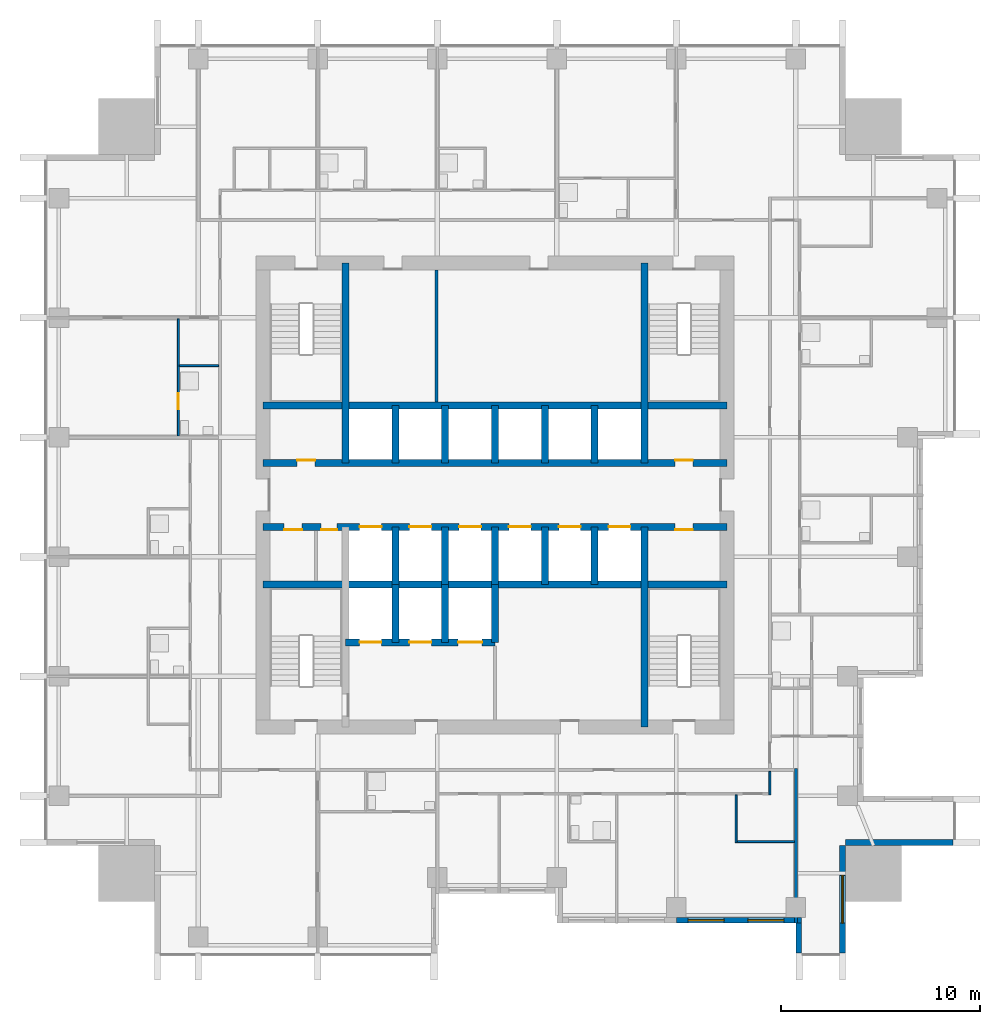
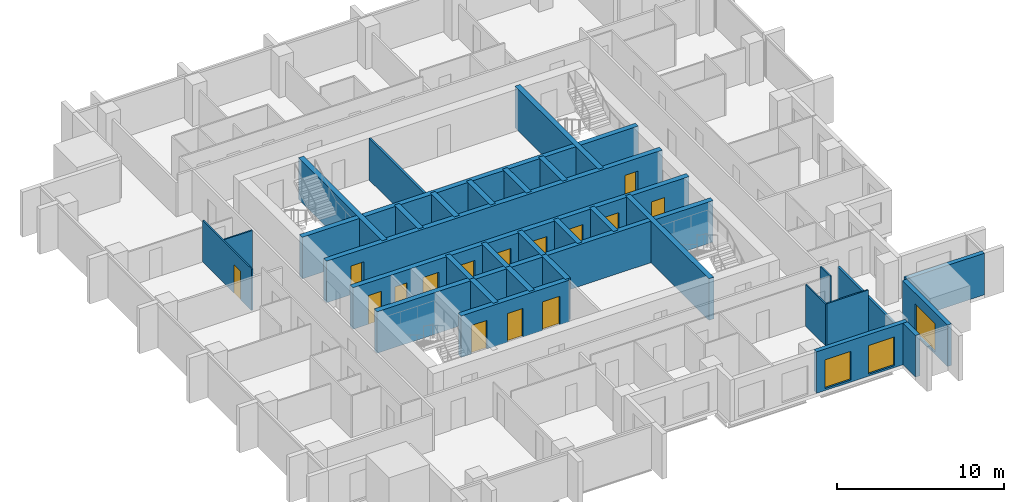
# One storey, part 5 of 10: 32 walls, 15 doors, 3 windows, 18 openings.
"""IFC4 building model written with IfcOpenShell, lengths in metres."""

from ifc_helpers import new_model, si_unit, direction, frame, frame_2d, origin, place, context, subcontext, project, spatial, rectangle, extrude, material, layer, layer_set, type_object, element, fill, save


model = new_model("IFC4")

# Units and contexts
model_context = context("Model", 3, precision=1e-05, world=origin(), true_north=direction((0.0, 1.0)))
body_context = subcontext(model_context, "Body", "Model", "MODEL_VIEW")
ifc_project = project(units=[si_unit("LENGTHUNIT", "METRE"), si_unit("AREAUNIT", "SQUARE_METRE"), si_unit("VOLUMEUNIT", "CUBIC_METRE"), si_unit("PLANEANGLEUNIT", "RADIAN"), si_unit("MASSUNIT", "GRAM", prefix="KILO")], contexts=[model_context])

# Site, building, storey
site_placement = place(None, origin())
site = spatial("IfcSite", under=ifc_project, at=site_placement, CompositionType="ELEMENT")
building_placement = place(site_placement, origin())
building = spatial("IfcBuilding", under=site, at=building_placement, Name="Amberfall Residences", CompositionType="ELEMENT")
storey_placement = place(building_placement, frame((0.0, 0.0, 137.199951171875)))
storey = spatial("IfcBuildingStorey", under=building, at=storey_placement, Name="L36", CompositionType="ELEMENT", Elevation=137.199951171875)

# Wall
ifc_material_1 = material(Name="Pale stone cladding on insulated backing", Category="masonry")
ifc_layer_1 = layer(ifc_material_1, 0.300048828125)
ifc_layer_set_1 = layer_set([ifc_layer_1], Name="Bronze clad wall 300")
wall_type_1 = type_object("IfcWallType", Name="Bronze clad wall 300", PredefinedType="SOLIDWALL", material=ifc_layer_set_1)
wall_1_placement = place(storey_placement, frame((89.75, 24.0, 0.0), z_axis=(0.0, 0.0, 1.0), x_axis=(0.0, -1.0, 0.0)))
element("IfcWall", 1, at=wall_1_placement, inside=storey, type_object=wall_type_1, Name="External wall L36 S", PredefinedType="SOLIDWALL", context=body_context, shape_type="SweptSolid", body=[
    extrude(rectangle(XDim=1.5, YDim=0.300048828125, at=frame_2d((0.75, 0.0))), origin(), (0.0, 0.0, 1.0), 3.050048828125),
])

# Wall, opening, window
wall_2_placement = place(storey_placement, frame((91.949951171875, 22.5, 0.0), z_axis=(0.0, 0.0, 1.0), x_axis=(0.0, 1.0, 0.0)))
wall_2 = element("IfcWall", 2, at=wall_2_placement, inside=storey, type_object=wall_type_1, Name="External wall L36 SE", PredefinedType="SOLIDWALL", context=body_context, shape_type="SweptSolid", body=[
    extrude(rectangle(XDim=5.39990234375, YDim=0.300048828125, at=frame_2d((2.699951171875, 0.0))), origin(), (0.0, 0.0, 1.0), 3.050048828125),
])
opening_1_placement = place(wall_2_placement, frame((1.5, 0.0, 0.14990234375)))
opening_1 = element("IfcOpeningElement", 3, at=opening_1_placement, cuts=wall_2, Name="Opening WN5", PredefinedType="OPENING", context=body_context, shape_type="SweptSolid", body=[
    extrude(rectangle(XDim=2.39990234375, YDim=2.10009765625, at=frame_2d((1.199951171875, 1.050048828125))), frame((0.0, 0.159912109375, 0.0), z_axis=(0.0, -1.0, 0.0), x_axis=(1.0, 0.0, 0.0)), (0.0, 0.0, 1.0), 0.320068359375),
])
ifc_material_2 = material(Name="Bronze aluminium framed glazing", Category="aluminium")
window_type_1 = type_object("IfcWindowType", Name="Glazed opening 2400 x 2100 bronze", PartitioningType="DOUBLE_PANEL_VERTICAL", PredefinedType="WINDOW", material=ifc_material_2)
window_1_placement = place(opening_1_placement, origin())
window_1 = element("IfcWindow", 4, at=window_1_placement, inside=storey, type_object=window_type_1, Name="Window L36 SE", OverallHeight=2.10009765625, OverallWidth=2.39990234375, PartitioningType="DOUBLE_PANEL_VERTICAL", PredefinedType="WINDOW", context=body_context, shape_type="SweptSolid", body=[
    extrude(rectangle(XDim=2.39990234375, YDim=2.10009765625, at=frame_2d((1.199951171875, 1.050048828125))), frame((0.0, 0.030029296875, 0.0), z_axis=(0.0, -1.0, 0.0), x_axis=(1.0, 0.0, 0.0)), (0.0, 0.0, 1.0), 0.06005859375),
])
fill(opening_1, window_1)

# Wall
wall_3_placement = place(storey_placement, frame((92.10009765625, 28.050048828125, 0.0), z_axis=(0.0, 0.0, 1.0), x_axis=(1.0, 0.0, 0.0)))
element("IfcWall", 5, at=wall_3_placement, inside=storey, type_object=wall_type_1, Name="External wall L36 SE", PredefinedType="SOLIDWALL", context=body_context, shape_type="SweptSolid", body=[
    extrude(rectangle(XDim=5.39990234375, YDim=0.300048828125, at=frame_2d((2.699951171875, 0.0))), origin(), (0.0, 0.0, 1.0), 3.050048828125),
])

# Wall, openings, windows
wall_4_placement = place(storey_placement, frame((83.60009765625, 24.14990234375, 0.0), z_axis=(0.0, 0.0, 1.0), x_axis=(1.0, 0.0, 0.0)))
wall_4 = element("IfcWall", 6, at=wall_4_placement, inside=storey, type_object=wall_type_1, Name="Stone wall L36 S", PredefinedType="SOLIDWALL", context=body_context, shape_type="SweptSolid", body=[
    extrude(rectangle(XDim=6.2998046875, YDim=0.300048828125, at=frame_2d((3.14990234375, 0.0))), origin(), (0.0, 0.0, 1.0), 3.050048828125),
])
opening_2_placement = place(wall_4_placement, frame((0.60009765625, 0.0, 0.14990234375)))
opening_2 = element("IfcOpeningElement", 7, at=opening_2_placement, cuts=wall_4, Name="Opening WN6", PredefinedType="OPENING", context=body_context, shape_type="SweptSolid", body=[
    extrude(rectangle(XDim=1.800048828125, YDim=2.10009765625, at=frame_2d((0.89990234375, 1.050048828125))), frame((0.0, 0.159912109375, 0.0), z_axis=(0.0, -1.0, 0.0), x_axis=(1.0, 0.0, 0.0)), (0.0, 0.0, 1.0), 0.320068359375),
])
opening_3_placement = place(wall_4_placement, frame((3.60009765625, 0.0, 0.14990234375)))
opening_3 = element("IfcOpeningElement", 8, at=opening_3_placement, cuts=wall_4, Name="Opening WN6", PredefinedType="OPENING", context=body_context, shape_type="SweptSolid", body=[
    extrude(rectangle(XDim=1.800048828125, YDim=2.10009765625, at=frame_2d((0.89990234375, 1.050048828125))), frame((0.0, 0.159912109375, 0.0), z_axis=(0.0, -1.0, 0.0), x_axis=(1.0, 0.0, 0.0)), (0.0, 0.0, 1.0), 0.320068359375),
])
window_type_2 = type_object("IfcWindowType", Name="Glazed opening 1800 x 2100 bronze", PartitioningType="DOUBLE_PANEL_VERTICAL", PredefinedType="WINDOW", material=ifc_material_2)
window_2_placement = place(opening_2_placement, origin())
window_2 = element("IfcWindow", 9, at=window_2_placement, inside=storey, type_object=window_type_2, Name="Window L36 S", OverallHeight=2.10009765625, OverallWidth=1.800048828125, PartitioningType="DOUBLE_PANEL_VERTICAL", PredefinedType="WINDOW", context=body_context, shape_type="SweptSolid", body=[
    extrude(rectangle(XDim=1.800048828125, YDim=2.10009765625, at=frame_2d((0.89990234375, 1.050048828125))), frame((0.0, 0.030029296875, 0.0), z_axis=(0.0, -1.0, 0.0), x_axis=(1.0, 0.0, 0.0)), (0.0, 0.0, 1.0), 0.06005859375),
])
fill(opening_2, window_2)
window_3_placement = place(opening_3_placement, origin())
window_3 = element("IfcWindow", 10, at=window_3_placement, inside=storey, type_object=window_type_2, Name="Window L36 S", OverallHeight=2.10009765625, OverallWidth=1.800048828125, PartitioningType="DOUBLE_PANEL_VERTICAL", PredefinedType="WINDOW", context=body_context, shape_type="SweptSolid", body=[
    extrude(rectangle(XDim=1.800048828125, YDim=2.10009765625, at=frame_2d((0.89990234375, 1.050048828125))), frame((0.0, 0.030029296875, 0.0), z_axis=(0.0, -1.0, 0.0), x_axis=(1.0, 0.0, 0.0)), (0.0, 0.0, 1.0), 0.06005859375),
])
fill(opening_3, window_3)

# Wall
ifc_material_3 = material(Name="Concrete C60", Category="concrete")
ifc_layer_2 = layer(ifc_material_3, 0.35009765625)
ifc_layer_set_2 = layer_set([ifc_layer_2], Name="Core wall 350 C60")
wall_type_2 = type_object("IfcWallType", Name="Core wall 350 C60", PredefinedType="SHEAR", material=ifc_layer_set_2)
wall_5_placement = place(storey_placement, frame((62.85009765625, 41.0, 0.0), z_axis=(0.0, 0.0, 1.0), x_axis=(1.0, 0.0, 0.0)))
element("IfcWall", 11, at=wall_5_placement, inside=storey, type_object=wall_type_2, Name="Core wall RW6 L36 H75", PredefinedType="SHEAR", context=body_context, shape_type="SweptSolid", body=[
    extrude(rectangle(XDim=23.2998046875, YDim=0.35009765625, at=frame_2d((11.64990234375, 0.0))), origin(), (0.0, 0.0, 1.0), 3.050048828125),
])

# Wall, openings, doors
wall_6_placement = place(storey_placement, frame((62.85009765625, 43.89990234375, 0.0), z_axis=(0.0, 0.0, 1.0), x_axis=(1.0, 0.0, 0.0)))
wall_6 = element("IfcWall", 12, at=wall_6_placement, inside=storey, type_object=wall_type_2, Name="Core wall RW6 L36 H104", PredefinedType="SHEAR", context=body_context, shape_type="SweptSolid", body=[
    extrude(rectangle(XDim=23.2998046875, YDim=0.35009765625, at=frame_2d((11.64990234375, 0.0))), origin(), (0.0, 0.0, 1.0), 3.050048828125),
])
opening_4_placement = place(wall_6_placement, frame((1.06005859375, 0.0, 0.0)))
opening_4 = element("IfcOpeningElement", 13, at=opening_4_placement, cuts=wall_6, Name="Opening RD1", PredefinedType="OPENING", context=body_context, shape_type="SweptSolid", body=[
    extrude(rectangle(XDim=0.89990234375, YDim=2.10009765625, at=frame_2d((0.449951171875, 1.050048828125))), frame((0.0, 0.18505859375, 0.0), z_axis=(0.0, -1.0, 0.0), x_axis=(1.0, 0.0, 0.0)), (0.0, 0.0, 1.0), 0.3701171875),
])
opening_5_placement = place(wall_6_placement, frame((2.922607421875, 0.0, 0.0)))
opening_5 = element("IfcOpeningElement", 14, at=opening_5_placement, cuts=wall_6, Name="Opening RD2", PredefinedType="OPENING", context=body_context, shape_type="SweptSolid", body=[
    extrude(rectangle(XDim=0.800048828125, YDim=2.10009765625, at=frame_2d((0.39990234375, 1.050048828125))), frame((0.0, 0.18505859375, 0.0), z_axis=(0.0, -1.0, 0.0), x_axis=(1.0, 0.0, 0.0)), (0.0, 0.0, 1.0), 0.3701171875),
])
opening_6_placement = place(wall_6_placement, frame((20.6875, 0.0, 0.0)))
opening_6 = element("IfcOpeningElement", 15, at=opening_6_placement, cuts=wall_6, Name="Opening RD1", PredefinedType="OPENING", context=body_context, shape_type="SweptSolid", body=[
    extrude(rectangle(XDim=0.89990234375, YDim=2.10009765625, at=frame_2d((0.449951171875, 1.050048828125))), frame((0.0, 0.18505859375, 0.0), z_axis=(0.0, -1.0, 0.0), x_axis=(1.0, 0.0, 0.0)), (0.0, 0.0, 1.0), 0.3701171875),
])
opening_7_placement = place(wall_6_placement, frame((4.85009765625, 0.0, 0.0)))
opening_7 = element("IfcOpeningElement", 16, at=opening_7_placement, cuts=wall_6, Name="Opening LD1", PredefinedType="OPENING", context=body_context, shape_type="SweptSolid", body=[
    extrude(rectangle(XDim=1.10009765625, YDim=2.10009765625, at=frame_2d((0.550048828125, 1.050048828125))), frame((0.0, 0.18505859375, 0.0), z_axis=(0.0, -1.0, 0.0), x_axis=(1.0, 0.0, 0.0)), (0.0, 0.0, 1.0), 0.3701171875),
])
opening_8_placement = place(wall_6_placement, frame((7.35009765625, 0.0, 0.0)))
opening_8 = element("IfcOpeningElement", 17, at=opening_8_placement, cuts=wall_6, Name="Opening LD1", PredefinedType="OPENING", context=body_context, shape_type="SweptSolid", body=[
    extrude(rectangle(XDim=1.10009765625, YDim=2.10009765625, at=frame_2d((0.550048828125, 1.050048828125))), frame((0.0, 0.18505859375, 0.0), z_axis=(0.0, -1.0, 0.0), x_axis=(1.0, 0.0, 0.0)), (0.0, 0.0, 1.0), 0.3701171875),
])
opening_9_placement = place(wall_6_placement, frame((9.85009765625, 0.0, 0.0)))
opening_9 = element("IfcOpeningElement", 18, at=opening_9_placement, cuts=wall_6, Name="Opening LD1", PredefinedType="OPENING", context=body_context, shape_type="SweptSolid", body=[
    extrude(rectangle(XDim=1.10009765625, YDim=2.10009765625, at=frame_2d((0.550048828125, 1.050048828125))), frame((0.0, 0.18505859375, 0.0), z_axis=(0.0, -1.0, 0.0), x_axis=(1.0, 0.0, 0.0)), (0.0, 0.0, 1.0), 0.3701171875),
])
opening_10_placement = place(wall_6_placement, frame((12.35009765625, 0.0, 0.0)))
opening_10 = element("IfcOpeningElement", 19, at=opening_10_placement, cuts=wall_6, Name="Opening LD1", PredefinedType="OPENING", context=body_context, shape_type="SweptSolid", body=[
    extrude(rectangle(XDim=1.10009765625, YDim=2.10009765625, at=frame_2d((0.550048828125, 1.050048828125))), frame((0.0, 0.18505859375, 0.0), z_axis=(0.0, -1.0, 0.0), x_axis=(1.0, 0.0, 0.0)), (0.0, 0.0, 1.0), 0.3701171875),
])
opening_11_placement = place(wall_6_placement, frame((14.85009765625, 0.0, 0.0)))
opening_11 = element("IfcOpeningElement", 20, at=opening_11_placement, cuts=wall_6, Name="Opening LD1", PredefinedType="OPENING", context=body_context, shape_type="SweptSolid", body=[
    extrude(rectangle(XDim=1.10009765625, YDim=2.10009765625, at=frame_2d((0.550048828125, 1.050048828125))), frame((0.0, 0.18505859375, 0.0), z_axis=(0.0, -1.0, 0.0), x_axis=(1.0, 0.0, 0.0)), (0.0, 0.0, 1.0), 0.3701171875),
])
opening_12_placement = place(wall_6_placement, frame((17.35009765625, 0.0, 0.0)))
opening_12 = element("IfcOpeningElement", 21, at=opening_12_placement, cuts=wall_6, Name="Opening LD1", PredefinedType="OPENING", context=body_context, shape_type="SweptSolid", body=[
    extrude(rectangle(XDim=1.10009765625, YDim=2.10009765625, at=frame_2d((0.550048828125, 1.050048828125))), frame((0.0, 0.18505859375, 0.0), z_axis=(0.0, -1.0, 0.0), x_axis=(1.0, 0.0, 0.0)), (0.0, 0.0, 1.0), 0.3701171875),
])
ifc_material_4 = material(Name="Steel fire door set", Category="steel")
door_type_1 = type_object("IfcDoorType", Name="Lift landing door 1100 x 2100", OperationType="DOUBLE_DOOR_SLIDING", PredefinedType="DOOR", material=ifc_material_4)
door_1_placement = place(opening_7_placement, origin())
door_1 = element("IfcDoor", 22, at=door_1_placement, inside=storey, type_object=door_type_1, Name="Landing door LP1 L36", OperationType="DOUBLE_DOOR_SLIDING", OverallHeight=2.10009765625, OverallWidth=1.10009765625, PredefinedType="DOOR", context=body_context, shape_type="SweptSolid", body=[
    extrude(rectangle(XDim=1.10009765625, YDim=2.10009765625, at=frame_2d((0.550048828125, 1.050048828125))), frame((0.0, 0.02490234375, 0.0), z_axis=(0.0, -1.0, 0.0), x_axis=(1.0, 0.0, 0.0)), (0.0, 0.0, 1.0), 0.050048828125),
])
fill(opening_7, door_1)
door_2_placement = place(opening_8_placement, origin())
door_2 = element("IfcDoor", 23, at=door_2_placement, inside=storey, type_object=door_type_1, Name="Landing door LP2 L36", OperationType="DOUBLE_DOOR_SLIDING", OverallHeight=2.10009765625, OverallWidth=1.10009765625, PredefinedType="DOOR", context=body_context, shape_type="SweptSolid", body=[
    extrude(rectangle(XDim=1.10009765625, YDim=2.10009765625, at=frame_2d((0.550048828125, 1.050048828125))), frame((0.0, 0.02490234375, 0.0), z_axis=(0.0, -1.0, 0.0), x_axis=(1.0, 0.0, 0.0)), (0.0, 0.0, 1.0), 0.050048828125),
])
fill(opening_8, door_2)
door_3_placement = place(opening_9_placement, origin())
door_3 = element("IfcDoor", 24, at=door_3_placement, inside=storey, type_object=door_type_1, Name="Landing door LP3 L36", OperationType="DOUBLE_DOOR_SLIDING", OverallHeight=2.10009765625, OverallWidth=1.10009765625, PredefinedType="DOOR", context=body_context, shape_type="SweptSolid", body=[
    extrude(rectangle(XDim=1.10009765625, YDim=2.10009765625, at=frame_2d((0.550048828125, 1.050048828125))), frame((0.0, 0.02490234375, 0.0), z_axis=(0.0, -1.0, 0.0), x_axis=(1.0, 0.0, 0.0)), (0.0, 0.0, 1.0), 0.050048828125),
])
fill(opening_9, door_3)
door_4_placement = place(opening_10_placement, origin())
door_4 = element("IfcDoor", 25, at=door_4_placement, inside=storey, type_object=door_type_1, Name="Landing door LP4 L36", OperationType="DOUBLE_DOOR_SLIDING", OverallHeight=2.10009765625, OverallWidth=1.10009765625, PredefinedType="DOOR", context=body_context, shape_type="SweptSolid", body=[
    extrude(rectangle(XDim=1.10009765625, YDim=2.10009765625, at=frame_2d((0.550048828125, 1.050048828125))), frame((0.0, 0.02490234375, 0.0), z_axis=(0.0, -1.0, 0.0), x_axis=(1.0, 0.0, 0.0)), (0.0, 0.0, 1.0), 0.050048828125),
])
fill(opening_10, door_4)
door_5_placement = place(opening_11_placement, origin())
door_5 = element("IfcDoor", 26, at=door_5_placement, inside=storey, type_object=door_type_1, Name="Landing door LP5 L36", OperationType="DOUBLE_DOOR_SLIDING", OverallHeight=2.10009765625, OverallWidth=1.10009765625, PredefinedType="DOOR", context=body_context, shape_type="SweptSolid", body=[
    extrude(rectangle(XDim=1.10009765625, YDim=2.10009765625, at=frame_2d((0.550048828125, 1.050048828125))), frame((0.0, 0.02490234375, 0.0), z_axis=(0.0, -1.0, 0.0), x_axis=(1.0, 0.0, 0.0)), (0.0, 0.0, 1.0), 0.050048828125),
])
fill(opening_11, door_5)
door_6_placement = place(opening_12_placement, origin())
door_6 = element("IfcDoor", 27, at=door_6_placement, inside=storey, type_object=door_type_1, Name="Landing door LP6 L36", OperationType="DOUBLE_DOOR_SLIDING", OverallHeight=2.10009765625, OverallWidth=1.10009765625, PredefinedType="DOOR", context=body_context, shape_type="SweptSolid", body=[
    extrude(rectangle(XDim=1.10009765625, YDim=2.10009765625, at=frame_2d((0.550048828125, 1.050048828125))), frame((0.0, 0.02490234375, 0.0), z_axis=(0.0, -1.0, 0.0), x_axis=(1.0, 0.0, 0.0)), (0.0, 0.0, 1.0), 0.050048828125),
])
fill(opening_12, door_6)
door_type_2 = type_object("IfcDoorType", Name="Service room door 800 x 2100", OperationType="SINGLE_SWING_LEFT", PredefinedType="DOOR", material=ifc_material_4)
door_7_placement = place(opening_5_placement, origin())
door_7 = element("IfcDoor", 28, at=door_7_placement, inside=storey, type_object=door_type_2, Name="RD2 L36", OperationType="SINGLE_SWING_RIGHT", OverallHeight=2.10009765625, OverallWidth=0.800048828125, PredefinedType="DOOR", context=body_context, shape_type="SweptSolid", body=[
    extrude(rectangle(XDim=0.800048828125, YDim=2.10009765625, at=frame_2d((0.39990234375, 1.050048828125))), frame((0.0, -0.1123046875, 0.0), z_axis=(0.0, -1.0, 0.0), x_axis=(1.0, 0.0, 0.0)), (0.0, 0.0, 1.0), 0.050048828125),
])
fill(opening_5, door_7)
door_type_3 = type_object("IfcDoorType", Name="Service room door 900 x 2100", OperationType="SINGLE_SWING_LEFT", PredefinedType="DOOR", material=ifc_material_4)
door_8_placement = place(opening_4_placement, origin())
door_8 = element("IfcDoor", 29, at=door_8_placement, inside=storey, type_object=door_type_3, Name="RD1 L36", OperationType="SINGLE_SWING_LEFT", OverallHeight=2.10009765625, OverallWidth=0.89990234375, PredefinedType="DOOR", context=body_context, shape_type="SweptSolid", body=[
    extrude(rectangle(XDim=0.89990234375, YDim=2.10009765625, at=frame_2d((0.449951171875, 1.050048828125))), frame((0.0, -0.1123046875, 0.0), z_axis=(0.0, -1.0, 0.0), x_axis=(1.0, 0.0, 0.0)), (0.0, 0.0, 1.0), 0.050048828125),
])
fill(opening_4, door_8)
door_9_placement = place(opening_6_placement, origin())
door_9 = element("IfcDoor", 30, at=door_9_placement, inside=storey, type_object=door_type_3, Name="RD1 L36", OperationType="SINGLE_SWING_LEFT", OverallHeight=2.10009765625, OverallWidth=0.89990234375, PredefinedType="DOOR", context=body_context, shape_type="SweptSolid", body=[
    extrude(rectangle(XDim=0.89990234375, YDim=2.10009765625, at=frame_2d((0.449951171875, 1.050048828125))), frame((0.0, -0.1123046875, 0.0), z_axis=(0.0, -1.0, 0.0), x_axis=(1.0, 0.0, 0.0)), (0.0, 0.0, 1.0), 0.050048828125),
])
fill(opening_6, door_9)

wall_7_placement = place(storey_placement, frame((62.85009765625, 47.10009765625, 0.0), z_axis=(0.0, 0.0, 1.0), x_axis=(1.0, 0.0, 0.0)))
wall_7 = element("IfcWall", 31, at=wall_7_placement, inside=storey, type_object=wall_type_2, Name="Core wall RW6 L36 H136", PredefinedType="SHEAR", context=body_context, shape_type="SweptSolid", body=[
    extrude(rectangle(XDim=23.2998046875, YDim=0.35009765625, at=frame_2d((11.64990234375, 0.0))), origin(), (0.0, 0.0, 1.0), 3.050048828125),
])
opening_13_placement = place(wall_7_placement, frame((1.71240234375, 0.0, 0.0)))
opening_13 = element("IfcOpeningElement", 32, at=opening_13_placement, cuts=wall_7, Name="Opening RD1", PredefinedType="OPENING", context=body_context, shape_type="SweptSolid", body=[
    extrude(rectangle(XDim=0.89990234375, YDim=2.10009765625, at=frame_2d((0.449951171875, 1.050048828125))), frame((0.0, 0.18505859375, 0.0), z_axis=(0.0, -1.0, 0.0), x_axis=(1.0, 0.0, 0.0)), (0.0, 0.0, 1.0), 0.3701171875),
])
opening_14_placement = place(wall_7_placement, frame((20.6875, 0.0, 0.0)))
opening_14 = element("IfcOpeningElement", 33, at=opening_14_placement, cuts=wall_7, Name="Opening RD1", PredefinedType="OPENING", context=body_context, shape_type="SweptSolid", body=[
    extrude(rectangle(XDim=0.89990234375, YDim=2.10009765625, at=frame_2d((0.449951171875, 1.050048828125))), frame((0.0, 0.18505859375, 0.0), z_axis=(0.0, -1.0, 0.0), x_axis=(1.0, 0.0, 0.0)), (0.0, 0.0, 1.0), 0.3701171875),
])
door_10_placement = place(opening_13_placement, origin())
door_10 = element("IfcDoor", 34, at=door_10_placement, inside=storey, type_object=door_type_3, Name="RD1 L36", OperationType="SINGLE_SWING_LEFT", OverallHeight=2.10009765625, OverallWidth=0.89990234375, PredefinedType="DOOR", context=body_context, shape_type="SweptSolid", body=[
    extrude(rectangle(XDim=0.89990234375, YDim=2.10009765625, at=frame_2d((0.449951171875, 1.050048828125))), frame((0.0, 0.16259765625, 0.0), z_axis=(0.0, -1.0, 0.0), x_axis=(1.0, 0.0, 0.0)), (0.0, 0.0, 1.0), 0.050048828125),
])
fill(opening_13, door_10)
door_11_placement = place(opening_14_placement, origin())
door_11 = element("IfcDoor", 35, at=door_11_placement, inside=storey, type_object=door_type_3, Name="RD1 L36", OperationType="SINGLE_SWING_LEFT", OverallHeight=2.10009765625, OverallWidth=0.89990234375, PredefinedType="DOOR", context=body_context, shape_type="SweptSolid", body=[
    extrude(rectangle(XDim=0.89990234375, YDim=2.10009765625, at=frame_2d((0.449951171875, 1.050048828125))), frame((0.0, 0.16259765625, 0.0), z_axis=(0.0, -1.0, 0.0), x_axis=(1.0, 0.0, 0.0)), (0.0, 0.0, 1.0), 0.050048828125),
])
fill(opening_14, door_11)

# Walls
wall_8_placement = place(storey_placement, frame((62.85009765625, 50.0, 0.0), z_axis=(0.0, 0.0, 1.0), x_axis=(1.0, 0.0, 0.0)))
element("IfcWall", 36, at=wall_8_placement, inside=storey, type_object=wall_type_2, Name="Core wall RW6 L36 H165", PredefinedType="SHEAR", context=body_context, shape_type="SweptSolid", body=[
    extrude(rectangle(XDim=23.2998046875, YDim=0.35009765625, at=frame_2d((11.64990234375, 0.0))), origin(), (0.0, 0.0, 1.0), 3.050048828125),
])
for number, where, z_axis, x_axis, name in (
    (37, (67.0, 47.10009765625, 0.0), (0.0, 0.0, 1.0), (0.0, 1.0, 0.0), "Core wall RW6 L36 V45N"),
    (38, (82.0, 33.85009765625, 0.0), (0.0, 0.0, 1.0), (0.0, 1.0, 0.0), "Core wall RW6 L36 V195S"),
    (39, (82.0, 47.10009765625, 0.0), (0.0, 0.0, 1.0), (0.0, 1.0, 0.0), "Core wall RW6 L36 V195N"),
):
    element("IfcWall", number, at=place(storey_placement, frame(where, z_axis=z_axis, x_axis=x_axis)), inside=storey, type_object=wall_type_2, Name=name, PredefinedType="SHEAR", context=body_context, shape_type="SweptSolid", body=[
        extrude(rectangle(XDim=10.0498046875, YDim=0.35009765625, at=frame_2d((5.02490234375, 0.0))), origin(), (0.0, 0.0, 1.0), 3.050048828125),
    ])
for number, where, z_axis, x_axis, name in (
    (40, (69.5, 41.0, 0.0), (0.0, 0.0, 1.0), (0.0, 1.0, 0.0), "Core wall RW6 L36 LPD1"),
    (41, (69.5, 47.10009765625, 0.0), (0.0, 0.0, 1.0), (0.0, 1.0, 0.0), "Core wall RW6 L36 HPD1"),
    (42, (72.0, 41.0, 0.0), (0.0, 0.0, 1.0), (0.0, 1.0, 0.0), "Core wall RW6 L36 LPD2"),
    (43, (72.0, 47.10009765625, 0.0), (0.0, 0.0, 1.0), (0.0, 1.0, 0.0), "Core wall RW6 L36 HPD2"),
    (44, (74.5, 41.0, 0.0), (0.0, 0.0, 1.0), (0.0, 1.0, 0.0), "Core wall RW6 L36 LPD3"),
    (45, (74.5, 47.10009765625, 0.0), (0.0, 0.0, 1.0), (0.0, 1.0, 0.0), "Core wall RW6 L36 HPD3"),
    (46, (77.0, 41.0, 0.0), (0.0, 0.0, 1.0), (0.0, 1.0, 0.0), "Core wall RW6 L36 LPD4"),
    (47, (77.0, 47.10009765625, 0.0), (0.0, 0.0, 1.0), (0.0, 1.0, 0.0), "Core wall RW6 L36 HPD4"),
    (48, (79.5, 41.0, 0.0), (0.0, 0.0, 1.0), (0.0, 1.0, 0.0), "Core wall RW6 L36 LPD5"),
    (49, (79.5, 47.10009765625, 0.0), (0.0, 0.0, 1.0), (0.0, 1.0, 0.0), "Core wall RW6 L36 HPD5"),
):
    element("IfcWall", number, at=place(storey_placement, frame(where, z_axis=z_axis, x_axis=x_axis)), inside=storey, type_object=wall_type_2, Name=name, PredefinedType="SHEAR", context=body_context, shape_type="SweptSolid", body=[
        extrude(rectangle(XDim=2.89990234375, YDim=0.35009765625, at=frame_2d((1.449951171875, 0.0))), origin(), (0.0, 0.0, 1.0), 3.050048828125),
    ])

# Wall, openings, doors
wall_9_placement = place(storey_placement, frame((67.0, 38.10009765625, 0.0), z_axis=(0.0, 0.0, 1.0), x_axis=(1.0, 0.0, 0.0)))
wall_9 = element("IfcWall", 50, at=wall_9_placement, inside=storey, type_object=wall_type_2, Name="Core wall RW6 L36 FFF", PredefinedType="SHEAR", context=body_context, shape_type="SweptSolid", body=[
    extrude(rectangle(XDim=7.5, YDim=0.35009765625, at=frame_2d((3.75, 0.0))), origin(), (0.0, 0.0, 1.0), 3.050048828125),
])
opening_15_placement = place(wall_9_placement, frame((0.699951171875, 0.0, 0.0)))
opening_15 = element("IfcOpeningElement", 51, at=opening_15_placement, cuts=wall_9, Name="Opening LD2", PredefinedType="OPENING", context=body_context, shape_type="SweptSolid", body=[
    extrude(rectangle(XDim=1.10009765625, YDim=2.10009765625, at=frame_2d((0.550048828125, 1.050048828125))), frame((0.0, 0.18505859375, 0.0), z_axis=(0.0, -1.0, 0.0), x_axis=(1.0, 0.0, 0.0)), (0.0, 0.0, 1.0), 0.3701171875),
])
opening_16_placement = place(wall_9_placement, frame((3.199951171875, 0.0, 0.0)))
opening_16 = element("IfcOpeningElement", 52, at=opening_16_placement, cuts=wall_9, Name="Opening LD2", PredefinedType="OPENING", context=body_context, shape_type="SweptSolid", body=[
    extrude(rectangle(XDim=1.10009765625, YDim=2.10009765625, at=frame_2d((0.550048828125, 1.050048828125))), frame((0.0, 0.18505859375, 0.0), z_axis=(0.0, -1.0, 0.0), x_axis=(1.0, 0.0, 0.0)), (0.0, 0.0, 1.0), 0.3701171875),
])
opening_17_placement = place(wall_9_placement, frame((5.64990234375, 0.0, 0.0)))
opening_17 = element("IfcOpeningElement", 53, at=opening_17_placement, cuts=wall_9, Name="Opening LD3", PredefinedType="OPENING", context=body_context, shape_type="SweptSolid", body=[
    extrude(rectangle(XDim=1.199951171875, YDim=2.10009765625, at=frame_2d((0.60009765625, 1.050048828125))), frame((0.0, 0.18505859375, 0.0), z_axis=(0.0, -1.0, 0.0), x_axis=(1.0, 0.0, 0.0)), (0.0, 0.0, 1.0), 0.3701171875),
])
door_type_4 = type_object("IfcDoorType", Name="Firefighting lift landing door 1100 x 2100", OperationType="DOUBLE_DOOR_SLIDING", PredefinedType="DOOR", material=ifc_material_4)
door_12_placement = place(opening_15_placement, origin())
door_12 = element("IfcDoor", 54, at=door_12_placement, inside=storey, type_object=door_type_4, Name="Landing door FF1 L36", OperationType="DOUBLE_DOOR_SLIDING", OverallHeight=2.10009765625, OverallWidth=1.10009765625, PredefinedType="DOOR", context=body_context, shape_type="SweptSolid", body=[
    extrude(rectangle(XDim=1.10009765625, YDim=2.10009765625, at=frame_2d((0.550048828125, 1.050048828125))), frame((0.0, 0.02490234375, 0.0), z_axis=(0.0, -1.0, 0.0), x_axis=(1.0, 0.0, 0.0)), (0.0, 0.0, 1.0), 0.050048828125),
])
fill(opening_15, door_12)
door_13_placement = place(opening_16_placement, origin())
door_13 = element("IfcDoor", 55, at=door_13_placement, inside=storey, type_object=door_type_4, Name="Landing door FF2 L36", OperationType="DOUBLE_DOOR_SLIDING", OverallHeight=2.10009765625, OverallWidth=1.10009765625, PredefinedType="DOOR", context=body_context, shape_type="SweptSolid", body=[
    extrude(rectangle(XDim=1.10009765625, YDim=2.10009765625, at=frame_2d((0.550048828125, 1.050048828125))), frame((0.0, 0.02490234375, 0.0), z_axis=(0.0, -1.0, 0.0), x_axis=(1.0, 0.0, 0.0)), (0.0, 0.0, 1.0), 0.050048828125),
])
fill(opening_16, door_13)
door_type_5 = type_object("IfcDoorType", Name="Service lift landing door 1200 x 2100", OperationType="DOUBLE_DOOR_SLIDING", PredefinedType="DOOR", material=ifc_material_4)
door_14_placement = place(opening_17_placement, origin())
door_14 = element("IfcDoor", 56, at=door_14_placement, inside=storey, type_object=door_type_5, Name="Landing door SL1 L36", OperationType="DOUBLE_DOOR_SLIDING", OverallHeight=2.10009765625, OverallWidth=1.199951171875, PredefinedType="DOOR", context=body_context, shape_type="SweptSolid", body=[
    extrude(rectangle(XDim=1.199951171875, YDim=2.10009765625, at=frame_2d((0.60009765625, 1.050048828125))), frame((0.0, 0.02490234375, 0.0), z_axis=(0.0, -1.0, 0.0), x_axis=(1.0, 0.0, 0.0)), (0.0, 0.0, 1.0), 0.050048828125),
])
fill(opening_17, door_14)

# Walls
for number, where, z_axis, x_axis, name in (
    (57, (69.5, 38.10009765625, 0.0), (0.0, 0.0, 1.0), (0.0, 1.0, 0.0), "Core wall RW6 L36 FFD1"),
    (58, (72.0, 38.10009765625, 0.0), (0.0, 0.0, 1.0), (0.0, 1.0, 0.0), "Core wall RW6 L36 FFD2"),
    (59, (74.5, 38.10009765625, 0.0), (0.0, 0.0, 1.0), (0.0, 1.0, 0.0), "Core wall RW6 L36 FFD3"),
):
    element("IfcWall", number, at=place(storey_placement, frame(where, z_axis=z_axis, x_axis=x_axis)), inside=storey, type_object=wall_type_2, Name=name, PredefinedType="SHEAR", context=body_context, shape_type="SweptSolid", body=[
        extrude(rectangle(XDim=2.89990234375, YDim=0.35009765625, at=frame_2d((1.449951171875, 0.0))), origin(), (0.0, 0.0, 1.0), 3.050048828125),
    ])

# Wall, opening, door
ifc_material_5 = material(Name="Gypsum board on metal stud")
ifc_layer_3 = layer(ifc_material_5, 0.10009765625)
ifc_layer_set_3 = layer_set([ifc_layer_3], Name="Flat partition 100")
wall_type_3 = type_object("IfcWallType", Name="Flat partition 100", PredefinedType="PARTITIONING", material=ifc_layer_set_3)
wall_10_placement = place(storey_placement, frame((58.60009765625, 54.35009765625, 0.0), z_axis=(0.0, 0.0, 1.0), x_axis=(0.0, -1.0, 0.0)))
wall_10 = element("IfcWall", 60, at=wall_10_placement, inside=storey, type_object=wall_type_3, Name="Partition 003", PredefinedType="PARTITIONING", context=body_context, shape_type="SweptSolid", body=[
    extrude(rectangle(XDim=5.875, YDim=0.10009765625, at=frame_2d((2.9375, 0.0))), origin(), (0.0, 0.0, 1.0), 3.050048828125),
])
opening_18_placement = place(wall_10_placement, frame((3.75, 0.0, 0.0)))
opening_18 = element("IfcOpeningElement", 61, at=opening_18_placement, cuts=wall_10, Name="Opening D42", PredefinedType="OPENING", context=body_context, shape_type="SweptSolid", body=[
    extrude(rectangle(XDim=0.800048828125, YDim=2.10009765625, at=frame_2d((0.39990234375, 1.050048828125))), frame((0.0, 0.06005859375, 0.0), z_axis=(0.0, -1.0, 0.0), x_axis=(1.0, 0.0, 0.0)), (0.0, 0.0, 1.0), 0.1201171875),
])
ifc_material_6 = material(Name="Timber", Category="wood")
door_type_6 = type_object("IfcDoorType", Name="Bathroom door 800 x 2100", OperationType="SINGLE_SWING_LEFT", PredefinedType="DOOR", material=ifc_material_6)
door_15_placement = place(opening_18_placement, origin())
door_15 = element("IfcDoor", 62, at=door_15_placement, inside=storey, type_object=door_type_6, Name="Door 3608 bath1", OperationType="SINGLE_SWING_LEFT", OverallHeight=2.10009765625, OverallWidth=0.800048828125, PredefinedType="DOOR", context=body_context, shape_type="SweptSolid", body=[
    extrude(rectangle(XDim=0.800048828125, YDim=2.10009765625, at=frame_2d((0.39990234375, 1.050048828125))), frame((0.0, 0.02490234375, 0.0), z_axis=(0.0, -1.0, 0.0), x_axis=(1.0, 0.0, 0.0)), (0.0, 0.0, 1.0), 0.050048828125),
])
fill(opening_18, door_15)

# Walls
wall_11_placement = place(storey_placement, frame((86.60009765625, 28.050048828125, 0.0), z_axis=(0.0, 0.0, 1.0), x_axis=(0.0, 1.0, 0.0)))
element("IfcWall", 63, at=wall_11_placement, inside=storey, type_object=wall_type_3, Name="Partition 019", PredefinedType="PARTITIONING", context=body_context, shape_type="SweptSolid", body=[
    extrude(rectangle(XDim=2.39990234375, YDim=0.10009765625, at=frame_2d((1.199951171875, 0.0))), origin(), (0.0, 0.0, 1.0), 3.050048828125),
])
wall_12_placement = place(storey_placement, frame((88.300048828125, 30.449951171875, 0.0), z_axis=(0.0, 0.0, 1.0), x_axis=(0.0, 1.0, 0.0)))
element("IfcWall", 64, at=wall_12_placement, inside=storey, type_object=wall_type_3, Name="Partition 020", PredefinedType="PARTITIONING", context=body_context, shape_type="SweptSolid", body=[
    extrude(rectangle(XDim=1.175048828125, YDim=0.10009765625, at=frame_2d((0.58740234375, 0.0))), origin(), (0.0, 0.0, 1.0), 3.050048828125),
])
wall_13_placement = place(storey_placement, frame((58.64990234375, 52.0, 0.0), z_axis=(0.0, 0.0, 1.0), x_axis=(1.0, 0.0, 0.0)))
element("IfcWall", 65, at=wall_13_placement, inside=storey, type_object=wall_type_3, Name="Partition 034", PredefinedType="PARTITIONING", context=body_context, shape_type="SweptSolid", body=[
    extrude(rectangle(XDim=1.97509765625, YDim=0.10009765625, at=frame_2d((0.987548828125, 0.0))), origin(), (0.0, 0.0, 1.0), 3.050048828125),
])
wall_14_placement = place(storey_placement, frame((86.64990234375, 28.10009765625, 0.0), z_axis=(0.0, 0.0, 1.0), x_axis=(1.0, 0.0, 0.0)))
element("IfcWall", 66, at=wall_14_placement, inside=storey, type_object=wall_type_3, Name="Partition 049", PredefinedType="PARTITIONING", context=body_context, shape_type="SweptSolid", body=[
    extrude(rectangle(XDim=2.875, YDim=0.10009765625, at=frame_2d((1.4375, 0.0))), origin(), (0.0, 0.0, 1.0), 3.050048828125),
])
ifc_material_7 = material(Name="Blockwork, plastered", Category="masonry")
ifc_layer_4 = layer(ifc_material_7, 0.14990234375)
ifc_layer_set_4 = layer_set([ifc_layer_4], Name="Flat separating wall 150")
wall_type_4 = type_object("IfcWallType", Name="Flat separating wall 150", PredefinedType="PARTITIONING", material=ifc_layer_set_4)
wall_15_placement = place(storey_placement, frame((89.60009765625, 24.0, 0.0), z_axis=(0.0, 0.0, 1.0), x_axis=(0.0, 1.0, 0.0)))
element("IfcWall", 67, at=wall_15_placement, inside=storey, type_object=wall_type_4, Name="Separating wall 055", PredefinedType="PARTITIONING", context=body_context, shape_type="SweptSolid", body=[
    extrude(rectangle(XDim=7.77490234375, YDim=0.14990234375, at=frame_2d((3.887451171875, 0.0))), origin(), (0.0, 0.0, 1.0), 2.510009765625),
])
ifc_material_8 = material(Name="Concrete blockwork", Category="masonry")
ifc_layer_5 = layer(ifc_material_8, 0.14990234375)
ifc_layer_set_5 = layer_set([ifc_layer_5], Name="Riser wall 150")
wall_type_5 = type_object("IfcWallType", Name="Riser wall 150", PredefinedType="PLUMBINGWALL", material=ifc_layer_set_5)
wall_16_placement = place(storey_placement, frame((71.570068359375, 50.175048828125, 0.0), z_axis=(0.0, 0.0, 1.0), x_axis=(0.0, 1.0, 0.0)))
element("IfcWall", 68, at=wall_16_placement, inside=storey, type_object=wall_type_5, Name="L36 core wall N0", PredefinedType="PLUMBINGWALL", context=body_context, shape_type="SweptSolid", body=[
    extrude(rectangle(XDim=6.625, YDim=0.14990234375, at=frame_2d((3.3125, 0.0))), origin(), (0.0, 0.0, 1.0), 3.050048828125),
])

save(model, "model.ifc")
